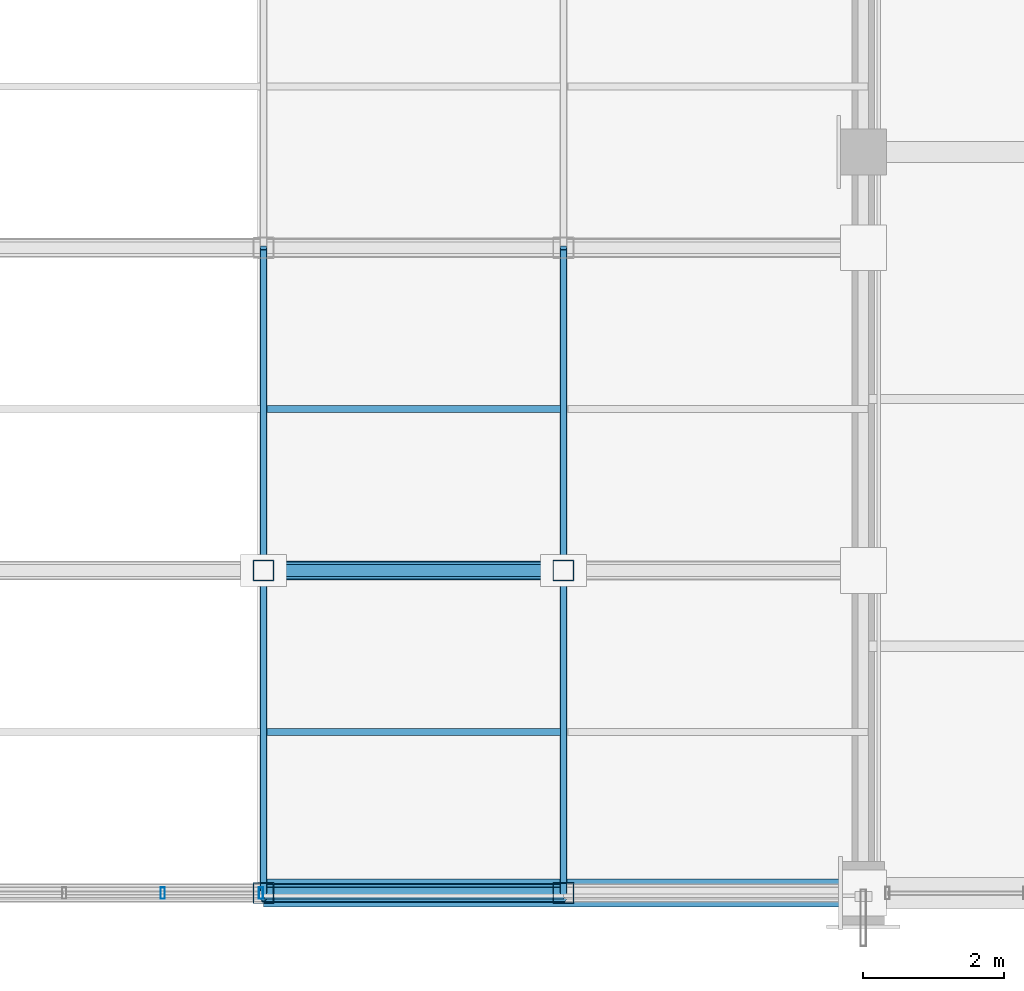
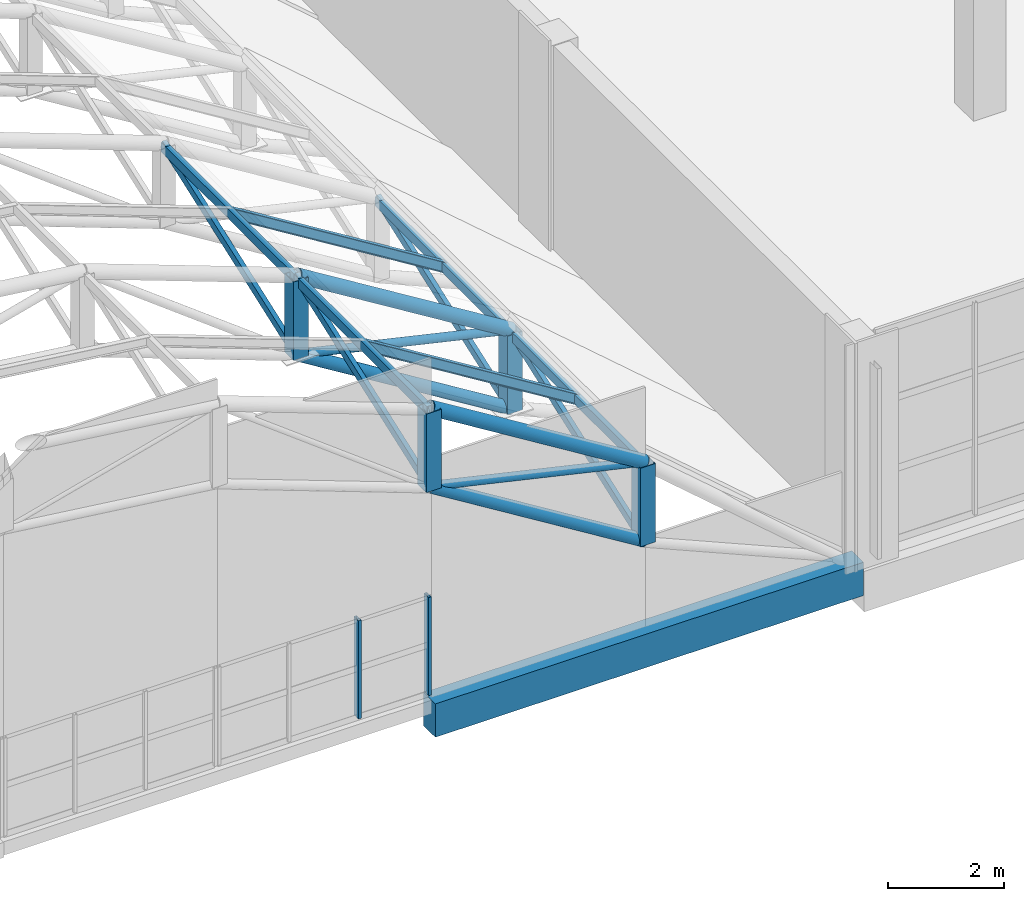
# One storey, part 13 of 86: 22 members, 1 beam, 1 element without a shape of its own.
"""IFC4 building model written with IfcOpenShell, lengths in metres."""

import ifcopenshell
import ifcopenshell.guid

model = None  # the IFC model being written
_history = None  # IfcOwnerHistory: only IFC2X3 demands one
_inside = {}  # id of a spatial element -> (the spatial element, [elements in it])
_under = {}  # id of a project, library or spatial element -> (it, [spatial elements below it])
_declared = {}  # id of a project -> (the project, [libraries it declares])
_typed = {}  # id of a type object -> (the type object, [elements of that type])
_made_of = {}  # id of a material, layer set ... -> (it, [elements and type objects made of it])


def new_model(schema):
    """Start an empty IFC model of exactly this schema.

    Asked for "IFC4X3", IfcOpenShell would pick the latest addendum, in which some entities
    have other attributes; the version numbers below select the first issue.
    IFC2X3 requires an IfcOwnerHistory on every rooted entity: one is made here for all.
    """
    global model, _history
    if schema == "IFC4X3":
        model = ifcopenshell.file(schema_version=(4, 3, 0, 0))
    else:
        model = ifcopenshell.file(schema=schema)
    _inside.clear()
    _under.clear()
    _declared.clear()
    _typed.clear()
    _made_of.clear()
    _history = None
    if model.schema == "IFC2X3":
        org = make("IfcOrganization", Name="unknown")
        user = make(
            "IfcPersonAndOrganization",
            ThePerson=make("IfcPerson", FamilyName="unknown"),
            TheOrganization=org,
        )
        app = make(
            "IfcApplication",
            ApplicationDeveloper=org,
            Version="unknown",
            ApplicationFullName="unknown",
            ApplicationIdentifier="unknown",
        )
        _history = make(
            "IfcOwnerHistory",
            OwningUser=user,
            OwningApplication=app,
            ChangeAction="ADDED",
            CreationDate=0,
        )
    return model


def make(cls, **values):
    """One entity of the class cls with the attributes given. An attribute that is None is left unset."""
    return model.create_entity(
        cls, **{name: value for name, value in values.items() if value is not None}
    )


def rooted(cls, **values):
    """An entity with a GlobalId (a new one), such as an element, a storey or a relation."""
    return make(cls, GlobalId=ifcopenshell.guid.new(), OwnerHistory=_history, **values)


def si_unit(unit_type, name, prefix=None):
    """IfcSIUnit, for example si_unit("LENGTHUNIT", "METRE", prefix="MILLI")."""
    return make("IfcSIUnit", UnitType=unit_type, Prefix=prefix, Name=name)


def assignment(units):
    """IfcUnitAssignment: the units of a project."""
    return None if units is None else make("IfcUnitAssignment", Units=units)


def point(xyz):
    """IfcCartesianPoint."""
    return None if xyz is None else make("IfcCartesianPoint", Coordinates=xyz)


def direction(xyz):
    """IfcDirection."""
    return None if xyz is None else make("IfcDirection", DirectionRatios=xyz)


def frame(location, z_axis=None, x_axis=None):
    """IfcAxis2Placement3D, a coordinate frame: its origin and axes. An axis left out is left unset."""
    return make(
        "IfcAxis2Placement3D",
        Location=point(location),
        Axis=direction(z_axis),
        RefDirection=direction(x_axis),
    )


def frame_2d(location, x_axis=None):
    """IfcAxis2Placement2D, a coordinate frame in the plane: its origin and x axis."""
    return make(
        "IfcAxis2Placement2D", Location=point(location), RefDirection=direction(x_axis)
    )


def origin():
    """The frame at (0, 0, 0) with its axes left unset."""
    return frame((0.0, 0.0, 0.0))


def origin_2d():
    """The frame at (0, 0) in the plane with its x axis left unset."""
    return frame_2d((0.0, 0.0))


def place(relative_to, where):
    """IfcLocalPlacement: puts the frame where relative to a parent placement (None: the world)."""
    return make(
        "IfcLocalPlacement", PlacementRelTo=relative_to, RelativePlacement=where
    )


def context(
    kind, dimensions, precision=None, world=None, true_north=None, identifier=None
):
    """IfcGeometricRepresentationContext, for example the 3D "Model" context."""
    return make(
        "IfcGeometricRepresentationContext",
        ContextIdentifier=identifier,
        ContextType=kind,
        CoordinateSpaceDimension=dimensions,
        Precision=precision,
        WorldCoordinateSystem=world,
        TrueNorth=true_north,
    )


def subcontext(parent, identifier, kind, view, scale=None):
    """IfcGeometricRepresentationSubContext, for example "Body" below "Model"."""
    return make(
        "IfcGeometricRepresentationSubContext",
        ContextIdentifier=identifier,
        ContextType=kind,
        ParentContext=parent,
        TargetScale=scale,
        TargetView=view,
    )


def project(units=None, contexts=None):
    """IfcProject with its units and contexts."""
    return rooted(
        "IfcProject",
        Name="project",
        RepresentationContexts=contexts,
        UnitsInContext=assignment(units),
    )


def spatial(cls, under=None, at=None, **own):
    """A site, building, storey or space (cls), placed at a placement, below another one or the project."""
    s = rooted(cls, ObjectPlacement=at, **own)
    if under is not None:
        _under.setdefault(under.id(), (under, []))[1].append(s)
    return s


def profile(cls, at=None, kind="AREA", **sizes):
    """A parametric profile (cls). Its sizes go by their IFC names, for example OverallWidth=200.0."""
    return make(cls, ProfileType=kind, Position=at, **sizes)


def rectangle(**sizes):
    """IfcRectangleProfileDef."""
    return profile("IfcRectangleProfileDef", **sizes)


def hollow_rectangle(**sizes):
    """IfcRectangleHollowProfileDef."""
    return profile("IfcRectangleHollowProfileDef", **sizes)


def hollow_circle(**sizes):
    """IfcCircleHollowProfileDef."""
    return profile("IfcCircleHollowProfileDef", **sizes)


def i_section(**sizes):
    """IfcIShapeProfileDef."""
    return profile("IfcIShapeProfileDef", **sizes)


def extrude(swept, where, along, depth):
    """IfcExtrudedAreaSolid: the profile swept, set in the frame where, extruded along a direction by depth."""
    return make(
        "IfcExtrudedAreaSolid",
        SweptArea=swept,
        Position=where,
        ExtrudedDirection=direction(along),
        Depth=depth,
    )


def shape(context_of_items, identifier, shape_type, items):
    """IfcShapeRepresentation: the items that make up one representation, for example the "Body"."""
    return make(
        "IfcShapeRepresentation",
        ContextOfItems=context_of_items,
        RepresentationIdentifier=identifier,
        RepresentationType=shape_type,
        Items=items,
    )


def material(Name=None, Category=None):
    """IfcMaterial."""
    return make("IfcMaterial", Name=Name, Category=Category)


def material_profile(
    of_material, cross_section, Name=None, Category=None, Priority=None
):
    """IfcMaterialProfile: a cross section and its material."""
    return make(
        "IfcMaterialProfile",
        Name=Name,
        Material=of_material,
        Profile=cross_section,
        Priority=Priority,
        Category=Category,
    )


def profile_set(profiles, Name=None, composite=None):
    """IfcMaterialProfileSet."""
    return make(
        "IfcMaterialProfileSet",
        Name=Name,
        MaterialProfiles=profiles,
        CompositeProfile=composite,
    )


def made_of(thing, what):
    """Note that an element or type object is made of a material, layer set ...; save() writes the relation."""
    if what is not None:
        _made_of.setdefault(what.id(), (what, []))[1].append(thing)
    return thing


def type_object(cls, material=None, **own):
    """A type object (cls), such as IfcWallType, which elements share."""
    return made_of(rooted(cls, **own), material)


def element(
    cls,
    number,
    at=None,
    inside=None,
    cuts=None,
    type_object=None,
    material=None,
    context=None,
    identifier="Body",
    shape_type=None,
    held_by="IfcProductDefinitionShape",
    body=None,
    shapes=None,
    **own,
):
    """One element of the class cls, such as IfcWall. Its Tag is "e" and its number.

    at: its placement. inside: the storey or other place that contains it. cuts: it is an
    opening in that element (IfcRelVoidsElement). A single representation is given by context,
    identifier, shape_type and body (its items); several are given by shapes. held_by: the class
    of the entity that holds the representations. save() writes the other relations.
    """
    e = rooted(cls, Tag="e%d" % number, ObjectPlacement=at, **own)
    if body is not None:
        shapes = [shape(context, identifier, shape_type, body)]
    if shapes is not None:
        e.Representation = make(held_by, Representations=shapes)
    if inside is not None:
        _inside.setdefault(inside.id(), (inside, []))[1].append(e)
    if cuts is not None:
        rooted(
            "IfcRelVoidsElement", RelatingBuildingElement=cuts, RelatedOpeningElement=e
        )
    if type_object is not None:
        _typed.setdefault(type_object.id(), (type_object, []))[1].append(e)
    return made_of(e, material)


def aggregate(whole, parts):
    """IfcRelAggregates: a whole, such as a stair, and the parts it consists of."""
    return rooted("IfcRelAggregates", RelatingObject=whole, RelatedObjects=parts)


def save(model, path):
    """Write the relations noted so far, then the file.

    IfcRelAggregates (storeys below a building ...), IfcRelContainedInSpatialStructure (elements
    in a storey), IfcRelDefinesByType, IfcRelAssociatesMaterial and IfcRelDeclares: one each for
    every whole, place, type object, material and project.
    """
    for whole, parts in _under.values():
        aggregate(whole, parts)
    for where, things in _inside.values():
        rooted(
            "IfcRelContainedInSpatialStructure",
            RelatedElements=things,
            RelatingStructure=where,
        )
    for kind, things in _typed.values():
        rooted("IfcRelDefinesByType", RelatedObjects=things, RelatingType=kind)
    for what, things in _made_of.values():
        rooted("IfcRelAssociatesMaterial", RelatedObjects=things, RelatingMaterial=what)
    for by, libraries in _declared.values():
        rooted("IfcRelDeclares", RelatingContext=by, RelatedDefinitions=libraries)
    model.write(path)


model = new_model("IFC4")

# Units and contexts
model_context = context("Model", 3, precision=1e-05, world=origin(), true_north=direction((0.0, 1.0)))
body_context = subcontext(model_context, "Body", "Model", "MODEL_VIEW")
ifc_project = project(units=[si_unit("LENGTHUNIT", "METRE"), si_unit("AREAUNIT", "SQUARE_METRE"), si_unit("VOLUMEUNIT", "CUBIC_METRE"), si_unit("PLANEANGLEUNIT", "RADIAN"), si_unit("MASSUNIT", "GRAM", prefix="KILO")], contexts=[model_context])

# Site, building, storey
site_placement = place(None, origin())
site = spatial("IfcSite", under=ifc_project, at=site_placement, CompositionType="ELEMENT")
building_placement = place(site_placement, origin())
building = spatial("IfcBuilding", under=site, at=building_placement, Name="Solvikara Media Centre", CompositionType="ELEMENT")
storey_placement = place(building_placement, frame((0.0, 0.0, 15.0)))
storey = spatial("IfcBuildingStorey", under=building, at=storey_placement, Name="L03", CompositionType="ELEMENT", Elevation=15.0)

# Beam
ifc_material_1 = material(Name="Concrete fc' 35 MPa (C35/45)", Category="concrete")
ifc_material_profile_1 = material_profile(ifc_material_1, rectangle(XDim=0.39990234375, YDim=0.699951171875, at=origin_2d()), Name="RC 400x700")
ifc_profile_set_1 = profile_set([ifc_material_profile_1], Name="Concrete fc' 35 MPa (C35/45)")
beam_type = type_object("IfcBeamType", Name="BM-13", PredefinedType="SPANDREL", material=ifc_profile_set_1)
beam_placement = place(storey_placement, frame((25.5, 0.0, -0.449951171875), z_axis=(1.0, 0.0, 0.0), x_axis=(0.0, 1.0, 0.0)))
element("IfcBeam", 1, at=beam_placement, inside=storey, type_object=beam_type, Name="B-L03-X1153", PredefinedType="SPANDREL", context=body_context, shape_type="SweptSolid", body=[
    extrude(rectangle(XDim=0.39990234375, YDim=0.699951171875, at=origin_2d()), origin(), (0.0, 0.0, 1.0), 8.5),
])

# Members
ifc_material_2 = material(Name="Steel S355JR", Category="steel")
ifc_material_profile_2 = material_profile(ifc_material_2, hollow_circle(Radius=0.136474609375, WallThickness=0.010009765625, at=origin_2d()), Name="CHS 273x10")
ifc_profile_set_2 = profile_set([ifc_material_profile_2], Name="Steel S355JR")
member_type_1 = type_object("IfcMemberType", Name="MB-03", PredefinedType="CHORD", material=ifc_profile_set_2)
for number, where, z_axis, x_axis, name in (
    (2, (25.5, 0.0, 6.0048828125), (0.850797997359, 0.0, -0.525492880722), (0.0, 1.0, 0.0), "Space Frame Vault Chord GC-TC-00-06"),
    (3, (25.5, 4.571044921875, 6.0048828125), (0.850797997359, 0.0, -0.525492880722), (0.0, 1.0, 0.0), "Space Frame Vault Chord GC-TC-01-06"),
):
    element("IfcMember", number, at=place(storey_placement, frame(where, z_axis=z_axis, x_axis=x_axis)), inside=storey, type_object=member_type_1, Name=name, PredefinedType="CHORD", context=body_context, shape_type="SweptSolid", body=[
        extrude(hollow_circle(Radius=0.136474609375, WallThickness=0.010009765625, at=origin_2d()), origin(), (0.0, 0.0, 1.0), 4.995361328125),
    ])
ifc_material_profile_3 = material_profile(ifc_material_2, hollow_circle(Radius=0.122314453125, WallThickness=0.010009765625, at=origin_2d()), Name="CHS 244.5x10")
ifc_profile_set_3 = profile_set([ifc_material_profile_3], Name="Steel S355JR")
member_type_2 = type_object("IfcMemberType", Name="MB-04", PredefinedType="CHORD", material=ifc_profile_set_3)
for number, where, z_axis, x_axis, name in (
    (4, (25.5, 0.0, 4.35498046875), (0.850797997359, 0.0, -0.525492880722), (0.0, 1.0, 0.0), "GC-BC-00-06"),
    (5, (25.5, 4.571044921875, 4.35498046875), (0.850797997359, 0.0, -0.525492880722), (0.0, 1.0, 0.0), "GC-BC-01-06"),
):
    element("IfcMember", number, at=place(storey_placement, frame(where, z_axis=z_axis, x_axis=x_axis)), inside=storey, type_object=member_type_2, Name=name, PredefinedType="CHORD", context=body_context, shape_type="SweptSolid", body=[
        extrude(hollow_circle(Radius=0.122314453125, WallThickness=0.010009765625, at=origin_2d()), origin(), (0.0, 0.0, 1.0), 4.995361328125),
    ])
ifc_material_profile_4 = material_profile(ifc_material_2, hollow_circle(Radius=0.084228515625, WallThickness=0.007080078125, at=origin_2d()), Name="CHS 168.3x7.1")
ifc_profile_set_4 = profile_set([ifc_material_profile_4], Name="Steel S355JR")
member_type_3 = type_object("IfcMemberType", Name="MB-07", PredefinedType="BRACE", material=ifc_profile_set_4)
for number, where, z_axis, x_axis, name in (
    (6, (25.5, 0.0, 4.35498046875), (0.974675396372, 0.0, -0.223624398731), (0.0, 1.0, 0.0), "GC-DG-00-06"),
    (7, (25.5, 4.571044921875, 4.35498046875), (0.974675396372, 0.0, -0.223624398731), (0.0, 1.0, 0.0), "GC-DG-01-06"),
):
    element("IfcMember", number, at=place(storey_placement, frame(where, z_axis=z_axis, x_axis=x_axis)), inside=storey, type_object=member_type_3, Name=name, PredefinedType="BRACE", context=body_context, shape_type="SweptSolid", body=[
        extrude(hollow_circle(Radius=0.084228515625, WallThickness=0.007080078125, at=origin_2d()), origin(), (0.0, 0.0, 1.0), 4.3603515625),
    ])
ifc_material_profile_5 = material_profile(ifc_material_2, hollow_rectangle(XDim=0.300048828125, YDim=0.300048828125, WallThickness=0.012451171875, at=origin_2d()), Name="RHS 300x300x12.5")
ifc_profile_set_5 = profile_set([ifc_material_profile_5], Name="Steel S355JR")
member_type_4 = type_object("IfcMemberType", Name="MB-11", PredefinedType="CHORD", material=ifc_profile_set_5)
for number, where, z_axis, x_axis, name in (
    (8, (25.5, 0.0, 4.35498046875), (0.0, 0.0, 1.0), (1.0, 0.0, 0.0), "GC-VT-00-06"),
    (9, (29.75, 0.0, 1.72998046875), (0.0, 0.0, 1.0), (1.0, 0.0, 0.0), "GC-VT-00-07"),
    (10, (25.5, 4.571044921875, 4.35498046875), (0.0, 0.0, 1.0), (1.0, 0.0, 0.0), "GC-VT-01-06"),
    (11, (29.75, 4.571044921875, 1.72998046875), (0.0, 0.0, 1.0), (1.0, 0.0, 0.0), "GC-VT-01-07"),
):
    element("IfcMember", number, at=place(storey_placement, frame(where, z_axis=z_axis, x_axis=x_axis)), inside=storey, type_object=member_type_4, Name=name, PredefinedType="CHORD", context=body_context, shape_type="SweptSolid", body=[
        extrude(hollow_rectangle(XDim=0.300048828125, YDim=0.300048828125, WallThickness=0.012451171875, at=origin_2d()), origin(), (0.0, 0.0, 1.0), 1.64990234375),
    ])
ifc_material_profile_6 = material_profile(ifc_material_2, hollow_rectangle(XDim=0.10009765625, YDim=0.199951171875, WallThickness=0.00634765625, at=origin_2d()), Name="RHS 200x100x6.3")
ifc_profile_set_6 = profile_set([ifc_material_profile_6], Name="Steel S355JR")
member_type_5 = type_object("IfcMemberType", Name="MB-17", PredefinedType="PURLIN", material=ifc_profile_set_6)
for number, where, z_axis, x_axis, name in (
    (12, (25.5, 0.0, 5.93994140625), (0.0, 1.0, 0.0), (-1.0, 0.0, 0.0), "GC-PRL-00-06"),
    (13, (29.75, 0.0, 3.31494140625), (0.0, 1.0, 0.0), (-1.0, 0.0, 0.0), "GC-PRL-00-07"),
):
    element("IfcMember", number, at=place(storey_placement, frame(where, z_axis=z_axis, x_axis=x_axis)), inside=storey, type_object=member_type_5, Name=name, PredefinedType="PURLIN", context=body_context, shape_type="SweptSolid", body=[
        extrude(hollow_rectangle(XDim=0.10009765625, YDim=0.199951171875, WallThickness=0.00634765625, at=origin_2d()), origin(), (0.0, 0.0, 1.0), 4.571044921875),
    ])
for number, where, z_axis, x_axis, name in (
    (14, (25.5, 4.571044921875, 5.93994140625), (0.0, 1.0, 0.0), (-1.0, 0.0, 0.0), "GC-PRL-01-06"),
    (15, (29.75, 4.571044921875, 3.31494140625), (0.0, 1.0, 0.0), (-1.0, 0.0, 0.0), "GC-PRL-01-07"),
):
    element("IfcMember", number, at=place(storey_placement, frame(where, z_axis=z_axis, x_axis=x_axis)), inside=storey, type_object=member_type_5, Name=name, PredefinedType="PURLIN", context=body_context, shape_type="SweptSolid", body=[
        extrude(hollow_rectangle(XDim=0.10009765625, YDim=0.199951171875, WallThickness=0.00634765625, at=origin_2d()), origin(), (0.0, 0.0, 1.0), 4.572021484375),
    ])
ifc_material_profile_7 = material_profile(ifc_material_2, i_section(OverallWidth=0.10009765625, OverallDepth=0.199951171875, WebThickness=0.005615234375, FlangeThickness=0.008056640625, at=origin_2d()), Name="WF 200x100x5.5x8")
ifc_profile_set_7 = profile_set([ifc_material_profile_7], Name="Steel S355JR")
member_type_6 = type_object("IfcMemberType", Name="MB-21", PredefinedType="PURLIN", material=ifc_profile_set_7)
for number, where, z_axis, x_axis, name in (
    (16, (25.5, 2.284912109375, 5.93994140625), (0.850797997359, 0.0, -0.525492880722), (0.0, 1.0, 0.0), "GC-SUB-00-06"),
    (17, (25.5, 6.85693359375, 5.93994140625), (0.850797997359, 0.0, -0.525492880722), (0.0, 1.0, 0.0), "GC-SUB-01-06"),
):
    element("IfcMember", number, at=place(storey_placement, frame(where, z_axis=z_axis, x_axis=x_axis)), inside=storey, type_object=member_type_6, Name=name, PredefinedType="PURLIN", context=body_context, shape_type="SweptSolid", body=[
        extrude(i_section(OverallWidth=0.10009765625, OverallDepth=0.199951171875, WebThickness=0.005615234375, FlangeThickness=0.008056640625, at=origin_2d()), origin(), (0.0, 0.0, 1.0), 4.995361328125),
    ])
ifc_material_profile_8 = material_profile(ifc_material_2, hollow_rectangle(XDim=0.090087890625, YDim=0.169921875, WallThickness=0.0048828125, at=origin_2d()), Name="RHS 170x90x5")
ifc_profile_set_8 = profile_set([ifc_material_profile_8], Name="Steel S355JR")
member_type_7 = type_object("IfcMemberType", Name="MB-26", PredefinedType="PURLIN", material=ifc_profile_set_8)
for number, where, z_axis, x_axis, name in (
    (18, (25.5, 0.0, 4.35498046875), (0.0, 0.94060337314, 0.339507429134), (-1.0, 0.0, 0.0), "GC-3D-00-06"),
    (19, (29.75, 0.0, 1.72998046875), (0.0, 0.94060337314, 0.339507429134), (-1.0, 0.0, 0.0), "GC-3D-00-07"),
):
    element("IfcMember", number, at=place(storey_placement, frame(where, z_axis=z_axis, x_axis=x_axis)), inside=storey, type_object=member_type_7, Name=name, PredefinedType="PURLIN", context=body_context, shape_type="SweptSolid", body=[
        extrude(hollow_rectangle(XDim=0.090087890625, YDim=0.169921875, WallThickness=0.0048828125, at=origin_2d()), origin(), (0.0, 0.0, 1.0), 4.859619140625),
    ])
for number, where, z_axis, x_axis, name in (
    (20, (25.5, 4.571044921875, 4.35498046875), (0.0, 0.9406265293, 0.339443268276), (-1.0, 0.0, 0.0), "GC-3D-01-06"),
    (21, (29.75, 4.571044921875, 1.72998046875), (0.0, 0.9406265293, 0.339443268276), (-1.0, 0.0, 0.0), "GC-3D-01-07"),
):
    element("IfcMember", number, at=place(storey_placement, frame(where, z_axis=z_axis, x_axis=x_axis)), inside=storey, type_object=member_type_7, Name=name, PredefinedType="PURLIN", context=body_context, shape_type="SweptSolid", body=[
        extrude(hollow_rectangle(XDim=0.090087890625, YDim=0.169921875, WallThickness=0.0048828125, at=origin_2d()), origin(), (0.0, 0.0, 1.0), 4.860595703125),
    ])

# Curtain wall, members
ifc_material_3 = material(Name="Anodised aluminium EN AW-6063", Category="aluminium")
curtain_wall_type = type_object("IfcCurtainWallType", Name="CW-07", PredefinedType="NOTDEFINED", material=ifc_material_3)
curtain_wall_placement = place(storey_placement, origin())
curtain_wall = element("IfcCurtainWall", 22, at=curtain_wall_placement, inside=storey, type_object=curtain_wall_type, Name="CW-GC-CLR-05", PredefinedType="NOTDEFINED")
ifc_material_profile_9 = material_profile(ifc_material_3, hollow_rectangle(XDim=0.06005859375, YDim=0.159912109375, WallThickness=0.00341796875, at=origin_2d()), Name="ALU-M 60x160x3.5")
ifc_profile_set_9 = profile_set([ifc_material_profile_9], Name="Anodised aluminium EN AW-6063")
member_type_8 = type_object("IfcMemberType", Name="MF-04", PredefinedType="MULLION", material=ifc_profile_set_9)
member_1_placement = place(storey_placement, frame((24.072021484375, 0.0, 0.02001953125), z_axis=(0.0, 0.0, 1.0), x_axis=(1.0, 0.0, 0.0)))
member_1 = element("IfcMember", 23, at=member_1_placement, type_object=member_type_8, Name="CW-GC-CLR-05-M02", PredefinedType="MULLION", context=body_context, shape_type="SweptSolid", body=[
    extrude(hollow_rectangle(XDim=0.06005859375, YDim=0.159912109375, WallThickness=0.00341796875, at=origin_2d()), origin(), (0.0, 0.0, 1.0), 2.06005859375),
])
member_2_placement = place(storey_placement, frame((25.465087890625, 0.0, 0.02001953125), z_axis=(0.0, 0.0, 1.0), x_axis=(1.0, 0.0, 0.0)))
member_2 = element("IfcMember", 24, at=member_2_placement, type_object=member_type_8, Name="CW-GC-CLR-05-M03", PredefinedType="MULLION", context=body_context, shape_type="SweptSolid", body=[
    extrude(hollow_rectangle(XDim=0.06005859375, YDim=0.159912109375, WallThickness=0.00341796875, at=origin_2d()), origin(), (0.0, 0.0, 1.0), 2.06005859375),
])
aggregate(curtain_wall, [member_1, member_2])

save(model, "model.ifc")
